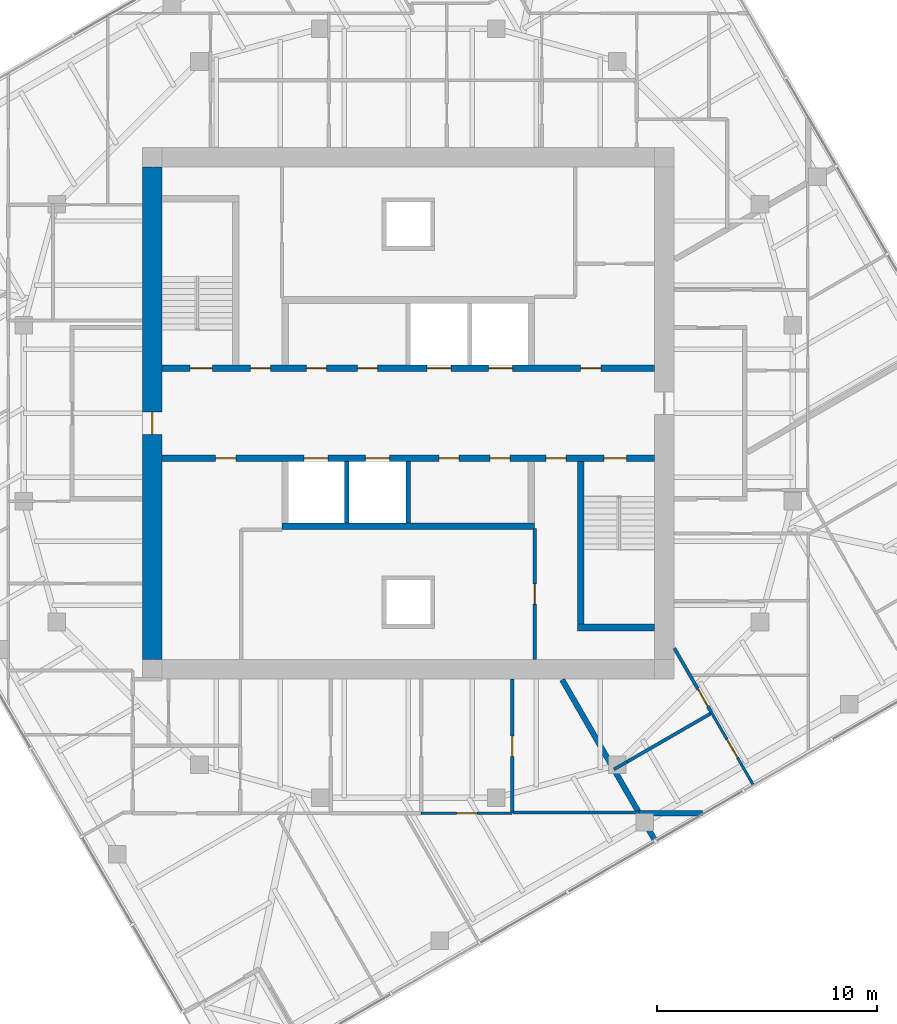
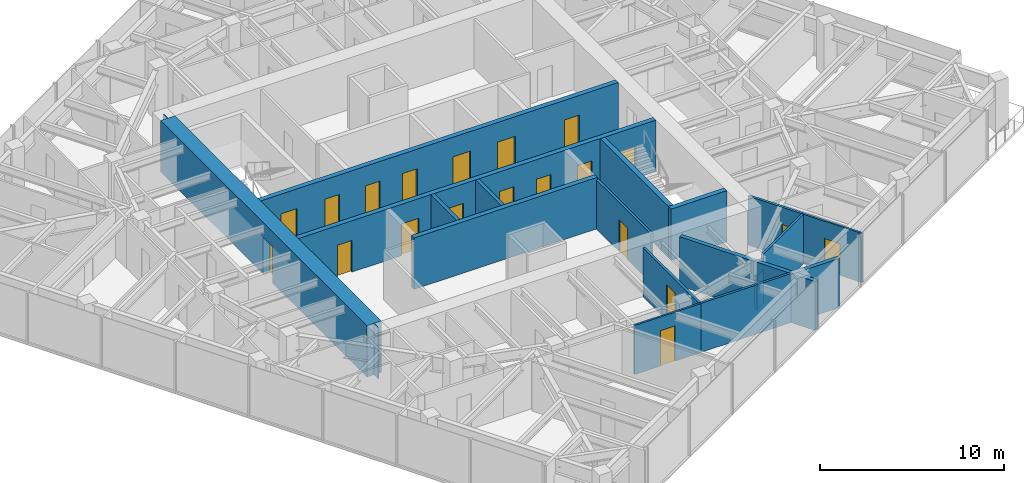
# One storey, part 8 of 13: 20 doors, 18 walls, 20 openings.
"""IFC4 building model written with IfcOpenShell, lengths in metres."""

from ifc_helpers import new_model, si_unit, direction, frame, frame_2d, origin, place, context, subcontext, project, spatial, polyline, rectangle, outline, extrude, material, layer, layer_set, type_object, element, fill, save


model = new_model("IFC4")

# Units and contexts
model_context = context("Model", 3, precision=1e-05, world=origin(), true_north=direction((0.0, 1.0)))
body_context = subcontext(model_context, "Body", "Model", "MODEL_VIEW")
ifc_project = project(units=[si_unit("LENGTHUNIT", "METRE"), si_unit("AREAUNIT", "SQUARE_METRE"), si_unit("VOLUMEUNIT", "CUBIC_METRE"), si_unit("PLANEANGLEUNIT", "RADIAN"), si_unit("MASSUNIT", "GRAM", prefix="KILO")], contexts=[model_context])

# Site, building, storey
site_placement = place(None, origin())
site = spatial("IfcSite", under=ifc_project, at=site_placement, CompositionType="ELEMENT")
building_placement = place(site_placement, origin())
building = spatial("IfcBuilding", under=site, at=building_placement, Name="Torsade Residences", CompositionType="ELEMENT")
storey_placement = place(building_placement, frame((0.0, 0.0, 228.60009765625)))
storey = spatial("IfcBuildingStorey", under=building, at=storey_placement, Name="L63", CompositionType="ELEMENT", Elevation=228.60009765625)

# Wall, openings, doors
ifc_material_1 = material(Name="Concrete 80 MPa", Category="concrete")
ifc_layer_1 = layer(ifc_material_1, 0.300048828125)
ifc_layer_set_1 = layer_set([ifc_layer_1], Name="Concrete 80 MPa")
wall_type_1 = type_object("IfcWallType", Name="CORE INTERNAL WALL 300", PredefinedType="SHEAR", material=ifc_layer_set_1)
wall_1_placement = place(storey_placement, frame((28.800048828125, 32.050048828125, 0.0), z_axis=(0.0, 0.0, 1.0), x_axis=(1.0, 0.0, 0.0)))
wall_1 = element("IfcWall", 1, at=wall_1_placement, inside=storey, type_object=wall_type_1, Name="Core wall LN L63", PredefinedType="SHEAR", context=body_context, shape_type="SweptSolid", body=[
    extrude(rectangle(XDim=22.39990234375, YDim=0.300048828125, at=frame_2d((11.199951171875, 0.0))), origin(), (0.0, 0.0, 1.0), 3.39990234375),
])
opening_1_placement = place(wall_1_placement, frame((19.0400390625, 0.0, 0.0)))
opening_1 = element("IfcOpeningElement", 2, at=opening_1_placement, cuts=wall_1, Name="Opening D06", PredefinedType="OPENING", context=body_context, shape_type="SweptSolid", body=[
    extrude(rectangle(XDim=0.919921875, YDim=2.10009765625, at=frame_2d((0.4599609375, 1.050048828125))), frame((0.0, 0.159912109375, 0.0), z_axis=(0.0, -1.0, 0.0), x_axis=(1.0, 0.0, 0.0)), (0.0, 0.0, 1.0), 0.320068359375),
])
opening_2_placement = place(wall_1_placement, frame((1.264892578125, 0.0, 0.0)))
opening_2 = element("IfcOpeningElement", 3, at=opening_2_placement, cuts=wall_1, Name="Opening D03", PredefinedType="OPENING", context=body_context, shape_type="SweptSolid", body=[
    extrude(rectangle(XDim=1.02001953125, YDim=2.10009765625, at=frame_2d((0.510009765625, 1.050048828125))), frame((0.0, 0.159912109375, 0.0), z_axis=(0.0, -1.0, 0.0), x_axis=(1.0, 0.0, 0.0)), (0.0, 0.0, 1.0), 0.320068359375),
])
opening_3_placement = place(wall_1_placement, frame((4.014892578125, 0.0, 0.0)))
opening_3 = element("IfcOpeningElement", 4, at=opening_3_placement, cuts=wall_1, Name="Opening D06", PredefinedType="OPENING", context=body_context, shape_type="SweptSolid", body=[
    extrude(rectangle(XDim=0.919921875, YDim=2.10009765625, at=frame_2d((0.4599609375, 1.050048828125))), frame((0.0, 0.159912109375, 0.0), z_axis=(0.0, -1.0, 0.0), x_axis=(1.0, 0.0, 0.0)), (0.0, 0.0, 1.0), 0.320068359375),
])
opening_4_placement = place(wall_1_placement, frame((6.56494140625, 0.0, 0.0)))
opening_4 = element("IfcOpeningElement", 5, at=opening_4_placement, cuts=wall_1, Name="Opening D06", PredefinedType="OPENING", context=body_context, shape_type="SweptSolid", body=[
    extrude(rectangle(XDim=0.919921875, YDim=2.10009765625, at=frame_2d((0.4599609375, 1.050048828125))), frame((0.0, 0.159912109375, 0.0), z_axis=(0.0, -1.0, 0.0), x_axis=(1.0, 0.0, 0.0)), (0.0, 0.0, 1.0), 0.320068359375),
])
opening_5_placement = place(wall_1_placement, frame((8.889892578125, 0.0, 0.0)))
opening_5 = element("IfcOpeningElement", 6, at=opening_5_placement, cuts=wall_1, Name="Opening D06", PredefinedType="OPENING", context=body_context, shape_type="SweptSolid", body=[
    extrude(rectangle(XDim=0.919921875, YDim=2.10009765625, at=frame_2d((0.4599609375, 1.050048828125))), frame((0.0, 0.159912109375, 0.0), z_axis=(0.0, -1.0, 0.0), x_axis=(1.0, 0.0, 0.0)), (0.0, 0.0, 1.0), 0.320068359375),
])
opening_6_placement = place(wall_1_placement, frame((12.050048828125, 0.0, 0.0)))
opening_6 = element("IfcOpeningElement", 7, at=opening_6_placement, cuts=wall_1, Name="Opening LD", PredefinedType="OPENING", context=body_context, shape_type="SweptSolid", body=[
    extrude(rectangle(XDim=1.10009765625, YDim=2.10009765625, at=frame_2d((0.550048828125, 1.050048828125))), frame((0.0, 0.159912109375, 0.0), z_axis=(0.0, -1.0, 0.0), x_axis=(1.0, 0.0, 0.0)), (0.0, 0.0, 1.0), 0.320068359375),
])
opening_7_placement = place(wall_1_placement, frame((14.85009765625, 0.0, 0.0)))
opening_7 = element("IfcOpeningElement", 8, at=opening_7_placement, cuts=wall_1, Name="Opening LD", PredefinedType="OPENING", context=body_context, shape_type="SweptSolid", body=[
    extrude(rectangle(XDim=1.10009765625, YDim=2.10009765625, at=frame_2d((0.550048828125, 1.050048828125))), frame((0.0, 0.159912109375, 0.0), z_axis=(0.0, -1.0, 0.0), x_axis=(1.0, 0.0, 0.0)), (0.0, 0.0, 1.0), 0.320068359375),
])
ifc_material_2 = material(Name="Steel-framed fire door", Category="steel")
door_type_1 = type_object("IfcDoorType", Name="FIRE DOOR 1020", OperationType="NOTDEFINED", PredefinedType="DOOR", material=ifc_material_2)
door_1_placement = place(opening_2_placement, origin())
door_1 = element("IfcDoor", 9, at=door_1_placement, inside=storey, type_object=door_type_1, Name="Exit door to fire-isolated stair ST1 L63", OperationType="SINGLE_SWING_RIGHT", OverallHeight=2.10009765625, OverallWidth=1.02001953125, PredefinedType="DOOR", context=body_context, shape_type="SweptSolid", body=[
    extrude(rectangle(XDim=1.02001953125, YDim=2.10009765625, at=frame_2d((0.510009765625, 1.050048828125))), frame((0.0, 0.02490234375, 0.0), z_axis=(0.0, -1.0, 0.0), x_axis=(1.0, 0.0, 0.0)), (0.0, 0.0, 1.0), 0.050048828125),
])
fill(opening_2, door_1)
ifc_material_3 = material(Name="Steel-framed fire door", Category="steel")
door_type_2 = type_object("IfcDoorType", Name="FIRE DOOR 920", OperationType="NOTDEFINED", PredefinedType="DOOR", material=ifc_material_3)
door_2_placement = place(opening_1_placement, origin())
door_2 = element("IfcDoor", 10, at=door_2_placement, inside=storey, type_object=door_type_2, Name="Door Lift lobby to Refuse room", OperationType="SINGLE_SWING_LEFT", OverallHeight=2.10009765625, OverallWidth=0.919921875, PredefinedType="DOOR", context=body_context, shape_type="SweptSolid", body=[
    extrude(rectangle(XDim=0.919921875, YDim=2.10009765625, at=frame_2d((0.4599609375, 1.050048828125))), frame((0.0, 0.02490234375, 0.0), z_axis=(0.0, -1.0, 0.0), x_axis=(1.0, 0.0, 0.0)), (0.0, 0.0, 1.0), 0.050048828125),
])
fill(opening_1, door_2)
door_3_placement = place(opening_3_placement, origin())
door_3 = element("IfcDoor", 11, at=door_3_placement, inside=storey, type_object=door_type_2, Name="Door Lift lobby to Main switchboard store", OperationType="SINGLE_SWING_LEFT", OverallHeight=2.10009765625, OverallWidth=0.919921875, PredefinedType="DOOR", context=body_context, shape_type="SweptSolid", body=[
    extrude(rectangle(XDim=0.919921875, YDim=2.10009765625, at=frame_2d((0.4599609375, 1.050048828125))), frame((0.0, 0.02490234375, 0.0), z_axis=(0.0, -1.0, 0.0), x_axis=(1.0, 0.0, 0.0)), (0.0, 0.0, 1.0), 0.050048828125),
])
fill(opening_3, door_3)
door_4_placement = place(opening_4_placement, origin())
door_4 = element("IfcDoor", 12, at=door_4_placement, inside=storey, type_object=door_type_2, Name="Door Lift lobby to Cleaners store L63A", OperationType="SINGLE_SWING_RIGHT", OverallHeight=2.10009765625, OverallWidth=0.919921875, PredefinedType="DOOR", context=body_context, shape_type="SweptSolid", body=[
    extrude(rectangle(XDim=0.919921875, YDim=2.10009765625, at=frame_2d((0.4599609375, 1.050048828125))), frame((0.0, 0.02490234375, 0.0), z_axis=(0.0, -1.0, 0.0), x_axis=(1.0, 0.0, 0.0)), (0.0, 0.0, 1.0), 0.050048828125),
])
fill(opening_4, door_4)
door_5_placement = place(opening_5_placement, origin())
door_5 = element("IfcDoor", 13, at=door_5_placement, inside=storey, type_object=door_type_2, Name="Door Lift lobby to Cleaners store L63A", OperationType="SINGLE_SWING_LEFT", OverallHeight=2.10009765625, OverallWidth=0.919921875, PredefinedType="DOOR", context=body_context, shape_type="SweptSolid", body=[
    extrude(rectangle(XDim=0.919921875, YDim=2.10009765625, at=frame_2d((0.4599609375, 1.050048828125))), frame((0.0, 0.02490234375, 0.0), z_axis=(0.0, -1.0, 0.0), x_axis=(1.0, 0.0, 0.0)), (0.0, 0.0, 1.0), 0.050048828125),
])
fill(opening_5, door_5)
ifc_material_4 = material(Name="Stainless steel lift landing door", Category="steel")
door_type_3 = type_object("IfcDoorType", Name="LIFT LANDING DOOR 1100", OperationType="SLIDING_TO_LEFT", PredefinedType="DOOR", material=ifc_material_4)
door_6_placement = place(opening_6_placement, origin())
door_6 = element("IfcDoor", 14, at=door_6_placement, inside=storey, type_object=door_type_3, Name="Lift LA3 landing door L63", OperationType="SLIDING_TO_LEFT", OverallHeight=2.10009765625, OverallWidth=1.10009765625, PredefinedType="DOOR", context=body_context, shape_type="SweptSolid", body=[
    extrude(rectangle(XDim=1.10009765625, YDim=2.10009765625, at=frame_2d((0.550048828125, 1.050048828125))), frame((0.0, 0.02490234375, 0.0), z_axis=(0.0, -1.0, 0.0), x_axis=(1.0, 0.0, 0.0)), (0.0, 0.0, 1.0), 0.050048828125),
])
fill(opening_6, door_6)
door_7_placement = place(opening_7_placement, origin())
door_7 = element("IfcDoor", 15, at=door_7_placement, inside=storey, type_object=door_type_3, Name="Lift FL1 landing door L63", OperationType="SLIDING_TO_LEFT", OverallHeight=2.10009765625, OverallWidth=1.10009765625, PredefinedType="DOOR", context=body_context, shape_type="SweptSolid", body=[
    extrude(rectangle(XDim=1.10009765625, YDim=2.10009765625, at=frame_2d((0.550048828125, 1.050048828125))), frame((0.0, 0.02490234375, 0.0), z_axis=(0.0, -1.0, 0.0), x_axis=(1.0, 0.0, 0.0)), (0.0, 0.0, 1.0), 0.050048828125),
])
fill(opening_7, door_7)

wall_2_placement = place(storey_placement, frame((51.199951171875, 27.949951171875, 0.0), z_axis=(0.0, 0.0, 1.0), x_axis=(-1.0, 0.0, 0.0)))
wall_2 = element("IfcWall", 16, at=wall_2_placement, inside=storey, type_object=wall_type_1, Name="Core wall LS L63", PredefinedType="SHEAR", context=body_context, shape_type="SweptSolid", body=[
    extrude(rectangle(XDim=22.39990234375, YDim=0.300048828125, at=frame_2d((11.199951171875, 0.0))), origin(), (0.0, 0.0, 1.0), 3.39990234375),
])
opening_8_placement = place(wall_2_placement, frame((19.0400390625, 0.0, 0.0)))
opening_8 = element("IfcOpeningElement", 17, at=opening_8_placement, cuts=wall_2, Name="Opening D06", PredefinedType="OPENING", context=body_context, shape_type="SweptSolid", body=[
    extrude(rectangle(XDim=0.919921875, YDim=2.10009765625, at=frame_2d((0.4599609375, 1.050048828125))), frame((0.0, 0.159912109375, 0.0), z_axis=(0.0, -1.0, 0.0), x_axis=(1.0, 0.0, 0.0)), (0.0, 0.0, 1.0), 0.320068359375),
])
opening_9_placement = place(wall_2_placement, frame((1.264892578125, 0.0, 0.0)))
opening_9 = element("IfcOpeningElement", 18, at=opening_9_placement, cuts=wall_2, Name="Opening D03", PredefinedType="OPENING", context=body_context, shape_type="SweptSolid", body=[
    extrude(rectangle(XDim=1.02001953125, YDim=2.10009765625, at=frame_2d((0.510009765625, 1.050048828125))), frame((0.0, 0.159912109375, 0.0), z_axis=(0.0, -1.0, 0.0), x_axis=(1.0, 0.0, 0.0)), (0.0, 0.0, 1.0), 0.320068359375),
])
opening_10_placement = place(wall_2_placement, frame((4.014892578125, 0.0, 0.0)))
opening_10 = element("IfcOpeningElement", 19, at=opening_10_placement, cuts=wall_2, Name="Opening D06", PredefinedType="OPENING", context=body_context, shape_type="SweptSolid", body=[
    extrude(rectangle(XDim=0.919921875, YDim=2.10009765625, at=frame_2d((0.4599609375, 1.050048828125))), frame((0.0, 0.159912109375, 0.0), z_axis=(0.0, -1.0, 0.0), x_axis=(1.0, 0.0, 0.0)), (0.0, 0.0, 1.0), 0.320068359375),
])
opening_11_placement = place(wall_2_placement, frame((8.889892578125, 0.0, 0.0)))
opening_11 = element("IfcOpeningElement", 20, at=opening_11_placement, cuts=wall_2, Name="Opening D06", PredefinedType="OPENING", context=body_context, shape_type="SweptSolid", body=[
    extrude(rectangle(XDim=0.919921875, YDim=2.10009765625, at=frame_2d((0.4599609375, 1.050048828125))), frame((0.0, 0.159912109375, 0.0), z_axis=(0.0, -1.0, 0.0), x_axis=(1.0, 0.0, 0.0)), (0.0, 0.0, 1.0), 0.320068359375),
])
opening_12_placement = place(wall_2_placement, frame((6.56494140625, 0.0, 0.0)))
opening_12 = element("IfcOpeningElement", 21, at=opening_12_placement, cuts=wall_2, Name="Opening D06", PredefinedType="OPENING", context=body_context, shape_type="SweptSolid", body=[
    extrude(rectangle(XDim=0.919921875, YDim=2.10009765625, at=frame_2d((0.4599609375, 1.050048828125))), frame((0.0, 0.159912109375, 0.0), z_axis=(0.0, -1.0, 0.0), x_axis=(1.0, 0.0, 0.0)), (0.0, 0.0, 1.0), 0.320068359375),
])
opening_13_placement = place(wall_2_placement, frame((12.050048828125, 0.0, 0.0)))
opening_13 = element("IfcOpeningElement", 22, at=opening_13_placement, cuts=wall_2, Name="Opening LD", PredefinedType="OPENING", context=body_context, shape_type="SweptSolid", body=[
    extrude(rectangle(XDim=1.10009765625, YDim=2.10009765625, at=frame_2d((0.550048828125, 1.050048828125))), frame((0.0, 0.159912109375, 0.0), z_axis=(0.0, -1.0, 0.0), x_axis=(1.0, 0.0, 0.0)), (0.0, 0.0, 1.0), 0.320068359375),
])
opening_14_placement = place(wall_2_placement, frame((14.85009765625, 0.0, 0.0)))
opening_14 = element("IfcOpeningElement", 23, at=opening_14_placement, cuts=wall_2, Name="Opening LD", PredefinedType="OPENING", context=body_context, shape_type="SweptSolid", body=[
    extrude(rectangle(XDim=1.10009765625, YDim=2.10009765625, at=frame_2d((0.550048828125, 1.050048828125))), frame((0.0, 0.159912109375, 0.0), z_axis=(0.0, -1.0, 0.0), x_axis=(1.0, 0.0, 0.0)), (0.0, 0.0, 1.0), 0.320068359375),
])
door_8_placement = place(opening_9_placement, origin())
door_8 = element("IfcDoor", 24, at=door_8_placement, inside=storey, type_object=door_type_1, Name="Exit door to fire-isolated stair ST2 L63", OperationType="SINGLE_SWING_RIGHT", OverallHeight=2.10009765625, OverallWidth=1.02001953125, PredefinedType="DOOR", context=body_context, shape_type="SweptSolid", body=[
    extrude(rectangle(XDim=1.02001953125, YDim=2.10009765625, at=frame_2d((0.510009765625, 1.050048828125))), frame((0.0, 0.02490234375, 0.0), z_axis=(0.0, -1.0, 0.0), x_axis=(1.0, 0.0, 0.0)), (0.0, 0.0, 1.0), 0.050048828125),
])
fill(opening_9, door_8)
door_9_placement = place(opening_8_placement, origin())
door_9 = element("IfcDoor", 25, at=door_9_placement, inside=storey, type_object=door_type_2, Name="Door Lift lobby to Cleaner store", OperationType="SINGLE_SWING_LEFT", OverallHeight=2.10009765625, OverallWidth=0.919921875, PredefinedType="DOOR", context=body_context, shape_type="SweptSolid", body=[
    extrude(rectangle(XDim=0.919921875, YDim=2.10009765625, at=frame_2d((0.4599609375, 1.050048828125))), frame((0.0, 0.02490234375, 0.0), z_axis=(0.0, -1.0, 0.0), x_axis=(1.0, 0.0, 0.0)), (0.0, 0.0, 1.0), 0.050048828125),
])
fill(opening_8, door_9)
door_10_placement = place(opening_10_placement, origin())
door_10 = element("IfcDoor", 26, at=door_10_placement, inside=storey, type_object=door_type_2, Name="Door Lift lobby to Security and data store", OperationType="SINGLE_SWING_RIGHT", OverallHeight=2.10009765625, OverallWidth=0.919921875, PredefinedType="DOOR", context=body_context, shape_type="SweptSolid", body=[
    extrude(rectangle(XDim=0.919921875, YDim=2.10009765625, at=frame_2d((0.4599609375, 1.050048828125))), frame((0.0, 0.02490234375, 0.0), z_axis=(0.0, -1.0, 0.0), x_axis=(1.0, 0.0, 0.0)), (0.0, 0.0, 1.0), 0.050048828125),
])
fill(opening_10, door_10)
door_11_placement = place(opening_11_placement, origin())
door_11 = element("IfcDoor", 27, at=door_11_placement, inside=storey, type_object=door_type_2, Name="Door Lift lobby to Residents storage L63B", OperationType="SINGLE_SWING_LEFT", OverallHeight=2.10009765625, OverallWidth=0.919921875, PredefinedType="DOOR", context=body_context, shape_type="SweptSolid", body=[
    extrude(rectangle(XDim=0.919921875, YDim=2.10009765625, at=frame_2d((0.4599609375, 1.050048828125))), frame((0.0, 0.02490234375, 0.0), z_axis=(0.0, -1.0, 0.0), x_axis=(1.0, 0.0, 0.0)), (0.0, 0.0, 1.0), 0.050048828125),
])
fill(opening_11, door_11)
door_12_placement = place(opening_12_placement, origin())
door_12 = element("IfcDoor", 28, at=door_12_placement, inside=storey, type_object=door_type_2, Name="Door Lift lobby to Residents storage L63B", OperationType="SINGLE_SWING_LEFT", OverallHeight=2.10009765625, OverallWidth=0.919921875, PredefinedType="DOOR", context=body_context, shape_type="SweptSolid", body=[
    extrude(rectangle(XDim=0.919921875, YDim=2.10009765625, at=frame_2d((0.4599609375, 1.050048828125))), frame((0.0, 0.02490234375, 0.0), z_axis=(0.0, -1.0, 0.0), x_axis=(1.0, 0.0, 0.0)), (0.0, 0.0, 1.0), 0.050048828125),
])
fill(opening_12, door_12)
door_13_placement = place(opening_13_placement, origin())
door_13 = element("IfcDoor", 29, at=door_13_placement, inside=storey, type_object=door_type_3, Name="Lift LB3 landing door L63", OperationType="SLIDING_TO_LEFT", OverallHeight=2.10009765625, OverallWidth=1.10009765625, PredefinedType="DOOR", context=body_context, shape_type="SweptSolid", body=[
    extrude(rectangle(XDim=1.10009765625, YDim=2.10009765625, at=frame_2d((0.550048828125, 1.050048828125))), frame((0.0, 0.02490234375, 0.0), z_axis=(0.0, -1.0, 0.0), x_axis=(1.0, 0.0, 0.0)), (0.0, 0.0, 1.0), 0.050048828125),
])
fill(opening_13, door_13)
door_14_placement = place(opening_14_placement, origin())
door_14 = element("IfcDoor", 30, at=door_14_placement, inside=storey, type_object=door_type_3, Name="Lift FL2 landing door L63", OperationType="SLIDING_TO_LEFT", OverallHeight=2.10009765625, OverallWidth=1.10009765625, PredefinedType="DOOR", context=body_context, shape_type="SweptSolid", body=[
    extrude(rectangle(XDim=1.10009765625, YDim=2.10009765625, at=frame_2d((0.550048828125, 1.050048828125))), frame((0.0, 0.02490234375, 0.0), z_axis=(0.0, -1.0, 0.0), x_axis=(1.0, 0.0, 0.0)), (0.0, 0.0, 1.0), 0.050048828125),
])
fill(opening_14, door_14)

# Walls
wall_3_placement = place(storey_placement, frame((45.75, 24.85009765625, 0.0), z_axis=(0.0, 0.0, 1.0), x_axis=(-1.0, 0.0, 0.0)))
element("IfcWall", 31, at=wall_3_placement, inside=storey, type_object=wall_type_1, Name="Core wall BS L63", PredefinedType="SHEAR", context=body_context, shape_type="SweptSolid", body=[
    extrude(rectangle(XDim=11.5, YDim=0.300048828125, at=frame_2d((5.75, 0.0))), origin(), (0.0, 0.0, 1.0), 3.39990234375),
])
wall_4_placement = place(storey_placement, frame((47.85009765625, 27.800048828125, 0.0), z_axis=(0.0, 0.0, 1.0), x_axis=(0.0, -1.0, 0.0)))
element("IfcWall", 32, at=wall_4_placement, inside=storey, type_object=wall_type_1, Name="Core wall ST2W L63", PredefinedType="SHEAR", context=body_context, shape_type="SweptSolid", body=[
    extrude(rectangle(XDim=7.699951171875, YDim=0.300048828125, at=frame_2d((3.85009765625, 0.0))), origin(), (0.0, 0.0, 1.0), 3.39990234375),
])
wall_5_placement = place(storey_placement, frame((51.199951171875, 20.25, 0.0), z_axis=(0.0, 0.0, 1.0), x_axis=(-1.0, 0.0, 0.0)))
element("IfcWall", 33, at=wall_5_placement, inside=storey, type_object=wall_type_1, Name="Core wall ST2S L63", PredefinedType="SHEAR", context=body_context, shape_type="SweptSolid", body=[
    extrude(rectangle(XDim=3.5, YDim=0.300048828125, at=frame_2d((1.75, 0.0))), origin(), (0.0, 0.0, 1.0), 3.39990234375),
])

# Wall, opening, door
ifc_material_5 = material(Name="Concrete 80 MPa", Category="concrete")
ifc_layer_2 = layer(ifc_material_5, 0.89990234375)
ifc_layer_set_2 = layer_set([ifc_layer_2], Name="Concrete 80 MPa")
wall_type_2 = type_object("IfcWallType", Name="CORE WALL 900", PredefinedType="SHEAR", material=ifc_layer_set_2)
wall_6_placement = place(storey_placement, frame((28.35009765625, 41.199951171875, 0.0), z_axis=(0.0, 0.0, 1.0), x_axis=(0.0, -1.0, 0.0)))
wall_6 = element("IfcWall", 34, at=wall_6_placement, inside=storey, type_object=wall_type_2, Name="Core wall W L63", PredefinedType="SHEAR", context=body_context, shape_type="SweptSolid", body=[
    extrude(outline(polyline([(0.0, -0.449951171875), (22.39990234375, -0.449951171875), (22.39990234375, -0.02490234375), (22.849853515625, -0.02490234375), (22.849853515625, 0.02490234375), (22.39990234375, 0.02490234375), (22.39990234375, 0.449951171875), (0.0, 0.449951171875), (0.0, 0.02490234375), (-0.449951171875, 0.02490234375), (-0.449951171875, -0.02490234375), (0.0, -0.02490234375), (0.0, -0.449951171875)])), origin(), (0.0, 0.0, 1.0), 3.39990234375),
])
opening_15_placement = place(wall_6_placement, frame((11.139892578125, 0.0, 0.0)))
opening_15 = element("IfcOpeningElement", 35, at=opening_15_placement, cuts=wall_6, Name="Opening D04", PredefinedType="OPENING", context=body_context, shape_type="SweptSolid", body=[
    extrude(rectangle(XDim=1.02001953125, YDim=2.39990234375, at=frame_2d((0.510009765625, 1.199951171875))), frame((0.0, 0.4599609375, 0.0), z_axis=(0.0, -1.0, 0.0), x_axis=(1.0, 0.0, 0.0)), (0.0, 0.0, 1.0), 0.919921875),
])
ifc_material_6 = material(Name="Steel-framed fire door", Category="steel")
door_type_4 = type_object("IfcDoorType", Name="LOBBY SMOKE DOOR 1020x2400", OperationType="NOTDEFINED", PredefinedType="DOOR", material=ifc_material_6)
door_15_placement = place(opening_15_placement, origin())
door_15 = element("IfcDoor", 36, at=door_15_placement, inside=storey, type_object=door_type_4, Name="Lift lobby door W L63", OperationType="SINGLE_SWING_RIGHT", OverallHeight=2.39990234375, OverallWidth=1.02001953125, PredefinedType="DOOR", context=body_context, shape_type="SweptSolid", body=[
    extrude(rectangle(XDim=1.02001953125, YDim=2.39990234375, at=frame_2d((0.510009765625, 1.199951171875))), frame((0.0, 0.02490234375, 0.0), z_axis=(0.0, -1.0, 0.0), x_axis=(1.0, 0.0, 0.0)), (0.0, 0.0, 1.0), 0.050048828125),
])
fill(opening_15, door_15)

# Walls
ifc_material_7 = material(Name="Reinforced blockwork", Category="masonry")
ifc_layer_3 = layer(ifc_material_7, 0.199951171875)
ifc_layer_set_3 = layer_set([ifc_layer_3], Name="Reinforced blockwork")
wall_type_3 = type_object("IfcWallType", Name="LIFT SHAFT DIVIDING WALL 200", PredefinedType="SOLIDWALL", material=ifc_layer_set_3)
for number, where, z_axis, x_axis, name in (
    (37, (40.0, 27.800048828125, 0.0), (0.0, 0.0, 1.0), (0.0, -1.0, 0.0), "Core wall DS2 L63"),
    (38, (37.199951171875, 27.800048828125, 0.0), (0.0, 0.0, 1.0), (0.0, -1.0, 0.0), "Core wall DS3 L63"),
):
    element("IfcWall", number, at=place(storey_placement, frame(where, z_axis=z_axis, x_axis=x_axis)), inside=storey, type_object=wall_type_3, Name=name, PredefinedType="SOLIDWALL", context=body_context, shape_type="SweptSolid", body=[
        extrude(rectangle(XDim=2.800048828125, YDim=0.199951171875, at=frame_2d((1.39990234375, 0.0))), origin(), (0.0, 0.0, 1.0), 3.39990234375),
    ])

# Wall, opening, door
ifc_material_8 = material(Name="Plasterboard on steel stud", Category="steel")
ifc_layer_4 = layer(ifc_material_8, 0.1201171875)
ifc_layer_set_4 = layer_set([ifc_layer_4], Name="Plasterboard on steel stud")
wall_type_4 = type_object("IfcWallType", Name="PARTITION 120", PredefinedType="PARTITIONING", material=ifc_layer_set_4)
wall_7_placement = place(storey_placement, frame((55.67822265625, 13.1171875, 0.0), z_axis=(0.0, 0.0, 1.0), x_axis=(-0.500024807712, 0.866011080572, 0.0)))
wall_7 = element("IfcWall", 39, at=wall_7_placement, inside=storey, type_object=wall_type_4, Name="Partition L63", PredefinedType="PARTITIONING", context=body_context, shape_type="SweptSolid", body=[
    extrude(rectangle(XDim=3.797607421875, YDim=0.1201171875, at=frame_2d((1.89892578125, 0.0))), origin(), (0.0, 0.0, 1.0), 3.25),
])
opening_16_placement = place(wall_7_placement, frame((1.398681640625, 0.0, 0.0)))
opening_16 = element("IfcOpeningElement", 40, at=opening_16_placement, cuts=wall_7, Name="Opening D05", PredefinedType="OPENING", context=body_context, shape_type="SweptSolid", body=[
    extrude(rectangle(XDim=0.9599609375, YDim=2.10009765625, at=frame_2d((0.47998046875, 1.050048828125))), frame((0.0, 0.070068359375, 0.0), z_axis=(0.0, -1.0, 0.0), x_axis=(1.0, 0.0, 0.0)), (0.0, 0.0, 1.0), 0.14013671875),
])
ifc_material_9 = material(Name="Hollow-core timber door in a steel cavity frame", Category="steel")
door_type_5 = type_object("IfcDoorType", Name="BATHROOM CAVITY SLIDING DOOR 960", OperationType="SLIDING_TO_LEFT", PredefinedType="DOOR", material=ifc_material_9)
door_16_placement = place(opening_16_placement, origin())
door_16 = element("IfcDoor", 41, at=door_16_placement, inside=storey, type_object=door_type_5, Name="Door Dressing room to WC", OperationType="SLIDING_TO_LEFT", OverallHeight=2.10009765625, OverallWidth=0.9599609375, PredefinedType="DOOR", context=body_context, shape_type="SweptSolid", body=[
    extrude(rectangle(XDim=0.9599609375, YDim=2.10009765625, at=frame_2d((0.47998046875, 1.050048828125))), frame((0.0, 0.02490234375, 0.0), z_axis=(0.0, -1.0, 0.0), x_axis=(1.0, 0.0, 0.0)), (0.0, 0.0, 1.0), 0.050048828125),
])
fill(opening_16, door_16)

wall_8_placement = place(storey_placement, frame((44.7294921875, 11.800048828125, 0.0), z_axis=(0.0, 0.0, 1.0), x_axis=(-1.0, 0.0, 0.0)))
wall_8 = element("IfcWall", 42, at=wall_8_placement, inside=storey, type_object=wall_type_4, Name="Partition L63", PredefinedType="PARTITIONING", context=body_context, shape_type="SweptSolid", body=[
    extrude(rectangle(XDim=4.143798828125, YDim=0.1201171875, at=frame_2d((2.07177734375, 0.0))), origin(), (0.0, 0.0, 1.0), 3.25),
])
opening_17_placement = place(wall_8_placement, frame((1.612060546875, 0.0, 0.0)))
opening_17 = element("IfcOpeningElement", 43, at=opening_17_placement, cuts=wall_8, Name="Opening D02", PredefinedType="OPENING", context=body_context, shape_type="SweptSolid", body=[
    extrude(rectangle(XDim=0.919921875, YDim=2.340087890625, at=frame_2d((0.4599609375, 1.169921875))), frame((0.0, 0.070068359375, 0.0), z_axis=(0.0, -1.0, 0.0), x_axis=(1.0, 0.0, 0.0)), (0.0, 0.0, 1.0), 0.14013671875),
])
ifc_material_10 = material(Name="Hollow-core timber door", Category="wood")
door_type_6 = type_object("IfcDoorType", Name="INTERNAL DOOR 920x2340", OperationType="NOTDEFINED", PredefinedType="DOOR", material=ifc_material_10)
door_17_placement = place(opening_17_placement, origin())
door_17 = element("IfcDoor", 44, at=door_17_placement, inside=storey, type_object=door_type_6, Name="Door Study to Bedroom 3", OperationType="SINGLE_SWING_RIGHT", OverallHeight=2.340087890625, OverallWidth=0.919921875, PredefinedType="DOOR", context=body_context, shape_type="SweptSolid", body=[
    extrude(rectangle(XDim=0.919921875, YDim=2.340087890625, at=frame_2d((0.4599609375, 1.169921875))), frame((0.0, 0.02490234375, 0.0), z_axis=(0.0, -1.0, 0.0), x_axis=(1.0, 0.0, 0.0)), (0.0, 0.0, 1.0), 0.050048828125),
])
fill(opening_17, door_17)

# Walls
ifc_material_11 = material(Name="Masonry-lined stud party wall", Category="masonry")
ifc_layer_5 = layer(ifc_material_11, 0.25)
ifc_layer_set_5 = layer_set([ifc_layer_5], Name="Masonry-lined stud party wall")
wall_type_5 = type_object("IfcWallType", Name="PARTY WALL 250", PredefinedType="PARTITIONING", material=ifc_layer_set_5)
wall_9_placement = place(storey_placement, frame((51.25, 10.514404296875, 0.0), z_axis=(0.0, 0.0, 1.0), x_axis=(-0.500008511703, 0.866020489494, 0.0)))
element("IfcWall", 45, at=wall_9_placement, inside=storey, type_object=wall_type_5, Name="Party wall L63", PredefinedType="PARTITIONING", context=body_context, shape_type="SweptSolid", body=[
    extrude(rectangle(XDim=8.495849609375, YDim=0.25, at=frame_2d((4.248046875, 0.0))), origin(), (0.0, 0.0, 1.0), 3.25),
])
wall_10_placement = place(storey_placement, frame((53.396728515625, 11.800048828125, 0.0), z_axis=(0.0, 0.0, 1.0), x_axis=(-1.0, 0.0, 0.0)))
element("IfcWall", 46, at=wall_10_placement, inside=storey, type_object=wall_type_5, Name="Party wall L63", PredefinedType="PARTITIONING", context=body_context, shape_type="SweptSolid", body=[
    extrude(rectangle(XDim=2.888916015625, YDim=0.25, at=frame_2d((1.4443359375, 0.0))), origin(), (0.0, 0.0, 1.0), 3.25),
])

# Wall, opening, door
ifc_material_12 = material(Name="Reinforced blockwork", Category="masonry")
ifc_layer_6 = layer(ifc_material_12, 0.14990234375)
ifc_layer_set_6 = layer_set([ifc_layer_6], Name="Reinforced blockwork")
wall_type_6 = type_object("IfcWallType", Name="SERVICE ROOM WALL 150", PredefinedType="SOLIDWALL", material=ifc_layer_set_6)
wall_11_placement = place(storey_placement, frame((45.75, 18.800048828125, 0.0), z_axis=(0.0, 0.0, 1.0), x_axis=(0.0, 1.0, 0.0)))
wall_11 = element("IfcWall", 47, at=wall_11_placement, inside=storey, type_object=wall_type_6, Name="Service room wall L63", PredefinedType="SOLIDWALL", context=body_context, shape_type="SweptSolid", body=[
    extrude(rectangle(XDim=5.949951171875, YDim=0.14990234375, at=frame_2d((2.97509765625, 0.0))), origin(), (0.0, 0.0, 1.0), 3.25),
])
opening_18_placement = place(wall_11_placement, frame((2.514892578125, 0.0, 0.0)))
opening_18 = element("IfcOpeningElement", 48, at=opening_18_placement, cuts=wall_11, Name="Opening D06", PredefinedType="OPENING", context=body_context, shape_type="SweptSolid", body=[
    extrude(rectangle(XDim=0.919921875, YDim=2.10009765625, at=frame_2d((0.4599609375, 1.050048828125))), frame((0.0, 0.0849609375, 0.0), z_axis=(0.0, -1.0, 0.0), x_axis=(1.0, 0.0, 0.0)), (0.0, 0.0, 1.0), 0.169921875),
])
door_18_placement = place(opening_18_placement, origin())
door_18 = element("IfcDoor", 49, at=door_18_placement, inside=storey, type_object=door_type_2, Name="Door Security and data store to Communications riser room", OperationType="SINGLE_SWING_RIGHT", OverallHeight=2.10009765625, OverallWidth=0.919921875, PredefinedType="DOOR", context=body_context, shape_type="SweptSolid", body=[
    extrude(rectangle(XDim=0.919921875, YDim=2.10009765625, at=frame_2d((0.4599609375, 1.050048828125))), frame((0.0, 0.02490234375, 0.0), z_axis=(0.0, -1.0, 0.0), x_axis=(1.0, 0.0, 0.0)), (0.0, 0.0, 1.0), 0.050048828125),
])
fill(opening_18, door_18)

wall_12_placement = place(storey_placement, frame((53.779296875, 16.406005859375, 0.0), z_axis=(0.0, 0.0, 1.0), x_axis=(-0.499969954228, 0.866042750024, 0.0)))
wall_12 = element("IfcWall", 50, at=wall_12_placement, inside=storey, type_object=wall_type_6, Name="Service room wall L63", PredefinedType="SOLIDWALL", context=body_context, shape_type="SweptSolid", body=[
    extrude(rectangle(XDim=3.358642578125, YDim=0.14990234375, at=frame_2d((1.67919921875, 0.0))), origin(), (0.0, 0.0, 1.0), 3.25),
])
opening_19_placement = place(wall_12_placement, frame((0.30078125, 0.0, 0.0)))
opening_19 = element("IfcOpeningElement", 51, at=opening_19_placement, cuts=wall_12, Name="Opening D02L", PredefinedType="OPENING", context=body_context, shape_type="SweptSolid", body=[
    extrude(rectangle(XDim=0.919921875, YDim=2.10009765625, at=frame_2d((0.4599609375, 1.050048828125))), frame((0.0, 0.0849609375, 0.0), z_axis=(0.0, -1.0, 0.0), x_axis=(1.0, 0.0, 0.0)), (0.0, 0.0, 1.0), 0.169921875),
])
ifc_material_13 = material(Name="Hollow-core timber door", Category="wood")
door_type_7 = type_object("IfcDoorType", Name="INTERNAL DOOR 920x2100", OperationType="NOTDEFINED", PredefinedType="DOOR", material=ifc_material_13)
door_19_placement = place(opening_19_placement, origin())
door_19 = element("IfcDoor", 52, at=door_19_placement, inside=storey, type_object=door_type_7, Name="Door Dressing room to Linen store", OperationType="SINGLE_SWING_LEFT", OverallHeight=2.10009765625, OverallWidth=0.919921875, PredefinedType="DOOR", context=body_context, shape_type="SweptSolid", body=[
    extrude(rectangle(XDim=0.919921875, YDim=2.10009765625, at=frame_2d((0.4599609375, 1.050048828125))), frame((0.0, 0.02490234375, 0.0), z_axis=(0.0, -1.0, 0.0), x_axis=(1.0, 0.0, 0.0)), (0.0, 0.0, 1.0), 0.050048828125),
])
fill(opening_19, door_19)

# Walls
wall_13_placement = place(storey_placement, frame((49.356201171875, 13.794677734375, 0.0), z_axis=(0.0, 0.0, 1.0), x_axis=(0.866038486578, 0.499977339252, 0.0)))
element("IfcWall", 53, at=wall_13_placement, inside=storey, type_object=wall_type_6, Name="Service room wall L63", PredefinedType="SOLIDWALL", context=body_context, shape_type="SweptSolid", body=[
    extrude(rectangle(XDim=0.69091796875, YDim=0.14990234375, at=frame_2d((0.345458984375, 0.0))), origin(), (0.0, 0.0, 1.0), 2.25),
])
wall_14_placement = place(storey_placement, frame((49.95458984375, 14.14013671875, 0.0), z_axis=(0.0, 0.0, 1.0), x_axis=(0.866017295027, 0.500014044516, 0.0)))
element("IfcWall", 54, at=wall_14_placement, inside=storey, type_object=wall_type_6, Name="Service room wall L63", PredefinedType="SOLIDWALL", context=body_context, shape_type="SweptSolid", body=[
    extrude(rectangle(XDim=4.445068359375, YDim=0.14990234375, at=frame_2d((2.22265625, 0.0))), origin(), (0.0, 0.0, 1.0), 3.25),
])

# Wall, opening, door
wall_15_placement = place(storey_placement, frame((44.7294921875, 17.89990234375, 0.0), z_axis=(0.0, 0.0, 1.0), x_axis=(0.0, -1.0, 0.0)))
wall_15 = element("IfcWall", 55, at=wall_15_placement, inside=storey, type_object=wall_type_6, Name="Service room wall L63", PredefinedType="SOLIDWALL", context=body_context, shape_type="SweptSolid", body=[
    extrude(rectangle(XDim=6.099853515625, YDim=0.14990234375, at=frame_2d((3.0498046875, 0.0))), origin(), (0.0, 0.0, 1.0), 3.25),
])
opening_20_placement = place(wall_15_placement, frame((2.590087890625, 0.0, 0.0)))
opening_20 = element("IfcOpeningElement", 56, at=opening_20_placement, cuts=wall_15, Name="Opening D02", PredefinedType="OPENING", context=body_context, shape_type="SweptSolid", body=[
    extrude(rectangle(XDim=0.919921875, YDim=2.340087890625, at=frame_2d((0.4599609375, 1.169921875))), frame((0.0, 0.0849609375, 0.0), z_axis=(0.0, -1.0, 0.0), x_axis=(1.0, 0.0, 0.0)), (0.0, 0.0, 1.0), 0.169921875),
])
door_20_placement = place(opening_20_placement, origin())
door_20 = element("IfcDoor", 57, at=door_20_placement, inside=storey, type_object=door_type_6, Name="Door Study to Linen store 5", OperationType="SINGLE_SWING_RIGHT", OverallHeight=2.340087890625, OverallWidth=0.919921875, PredefinedType="DOOR", context=body_context, shape_type="SweptSolid", body=[
    extrude(rectangle(XDim=0.919921875, YDim=2.340087890625, at=frame_2d((0.4599609375, 1.169921875))), frame((0.0, 0.02490234375, 0.0), z_axis=(0.0, -1.0, 0.0), x_axis=(1.0, 0.0, 0.0)), (0.0, 0.0, 1.0), 0.050048828125),
])
fill(opening_20, door_20)

# Wall
wall_16_placement = place(storey_placement, frame((50.49072265625, 11.829345703125, 0.0), z_axis=(0.0, 0.0, 1.0), x_axis=(-0.999999991834, 0.000127795526, 0.0)))
element("IfcWall", 58, at=wall_16_placement, inside=storey, type_object=wall_type_6, Name="Service room wall L63", PredefinedType="SOLIDWALL", context=body_context, shape_type="SweptSolid", body=[
    extrude(rectangle(XDim=5.731201171875, YDim=0.14990234375, at=frame_2d((2.86572265625, 0.0))), origin(), (0.0, 0.0, 1.0), 3.25),
])

save(model, "model.ifc")
